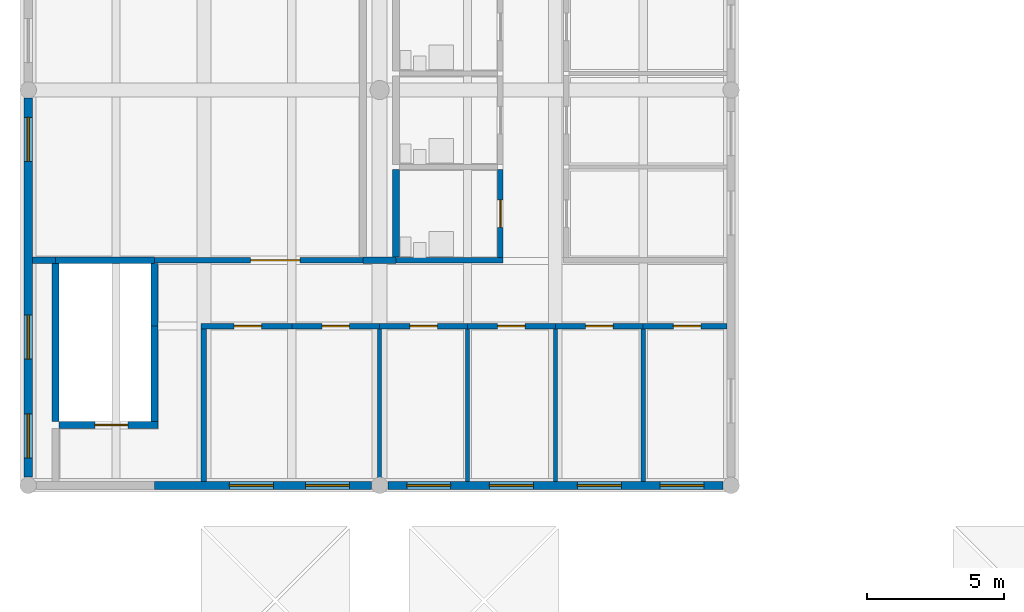
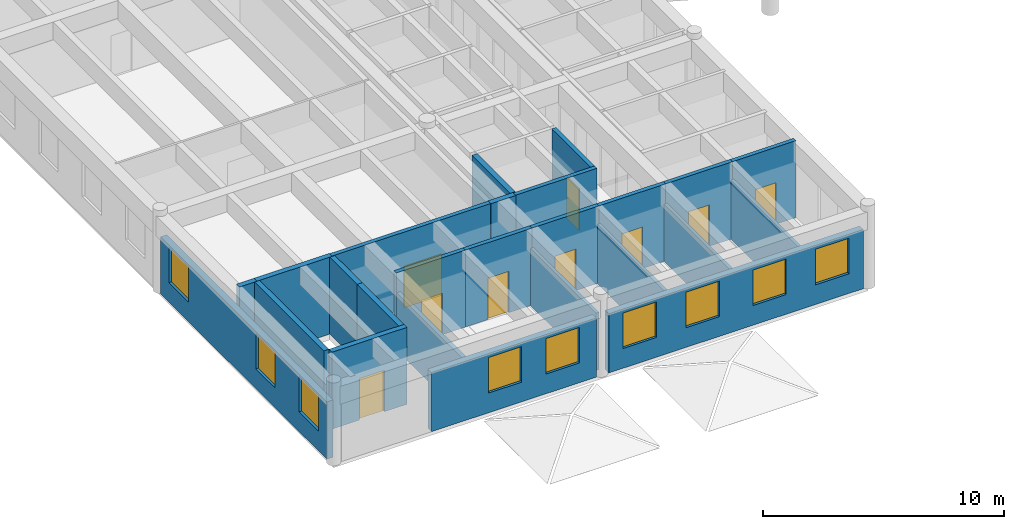
# One storey, part 5 of 19: 25 walls, 9 doors, 9 windows, 18 openings.
"""IFC4 building model written with IfcOpenShell, lengths in metres."""

from ifc_helpers import new_model, si_unit, direction, frame, frame_2d, origin, place, context, subcontext, project, spatial, rectangle, extrude, material, layer, layer_set, type_object, element, fill, save


model = new_model("IFC4")

# Units and contexts
model_context = context("Model", 3, precision=1e-05, world=origin(), true_north=direction((0.0, 1.0)))
body_context = subcontext(model_context, "Body", "Model", "MODEL_VIEW")
ifc_project = project(units=[si_unit("LENGTHUNIT", "METRE"), si_unit("AREAUNIT", "SQUARE_METRE"), si_unit("VOLUMEUNIT", "CUBIC_METRE"), si_unit("PLANEANGLEUNIT", "RADIAN"), si_unit("MASSUNIT", "GRAM", prefix="KILO")], contexts=[model_context])

# Site, building, storey
site_placement = place(None, origin())
site = spatial("IfcSite", under=ifc_project, at=site_placement, CompositionType="ELEMENT")
building_placement = place(site_placement, origin())
building = spatial("IfcBuilding", under=site, at=building_placement, Name="Fogon Plaza Fire Station and Headquarters Tower", CompositionType="ELEMENT")
storey_placement = place(building_placement, frame((0.0, 0.0, 4.199951171875)))
storey = spatial("IfcBuildingStorey", under=building, at=storey_placement, Name="L01", CompositionType="ELEMENT", Elevation=4.199951171875)

# Walls
ifc_material_1 = material(Name="Acoustic Gypsum Partition")
ifc_layer_1 = layer(ifc_material_1, 0.14990234375)
ifc_layer_set_1 = layer_set([ifc_layer_1], Name="Acoustic Gypsum Partition")
wall_type_1 = type_object("IfcWallType", Name="Acoustic Partition 150 Beam Head 1000", PredefinedType="PARTITIONING", material=ifc_layer_set_1)
wall_1_placement = place(storey_placement, frame((12.800048828125, 0.27001953125, 0.0), z_axis=(0.0, 0.0, 1.0), x_axis=(0.0, 1.0, 0.0)))
element("IfcWall", 1, at=wall_1_placement, inside=storey, type_object=wall_type_1, Name="wall-L01-W-051", PredefinedType="PARTITIONING", context=body_context, shape_type="SweptSolid", body=[
    extrude(rectangle(XDim=5.429931640625, YDim=0.14990234375, at=frame_2d((2.71484375, 0.0))), origin(), (0.0, 0.0, 1.0), 2.900146484375),
])
wall_2_placement = place(storey_placement, frame((19.199951171875, 0.14990234375, 0.0), z_axis=(0.0, 0.0, 1.0), x_axis=(0.0, 1.0, 0.0)))
element("IfcWall", 2, at=wall_2_placement, inside=storey, type_object=wall_type_1, Name="wall-L01-W-065", PredefinedType="PARTITIONING", context=body_context, shape_type="SweptSolid", body=[
    extrude(rectangle(XDim=5.550048828125, YDim=0.14990234375, at=frame_2d((2.77490234375, 0.0))), origin(), (0.0, 0.0, 1.0), 2.900146484375),
])
ifc_material_2 = material(Name="Acoustic Gypsum Partition")
ifc_layer_2 = layer(ifc_material_2, 0.14990234375)
ifc_layer_set_2 = layer_set([ifc_layer_2], Name="Acoustic Gypsum Partition")
wall_type_2 = type_object("IfcWallType", Name="Acoustic Partition 150 Beam Head 900", PredefinedType="PARTITIONING", material=ifc_layer_set_2)
for number, where, z_axis, x_axis, name in (
    (3, (16.0, 0.14990234375, 0.0), (0.0, 0.0, 1.0), (0.0, 1.0, 0.0), "wall-L01-W-058"),
    (4, (22.39990234375, 0.14990234375, 0.0), (0.0, 0.0, 1.0), (0.0, 1.0, 0.0), "wall-L01-W-072"),
):
    element("IfcWall", number, at=place(storey_placement, frame(where, z_axis=z_axis, x_axis=x_axis)), inside=storey, type_object=wall_type_2, Name=name, PredefinedType="PARTITIONING", context=body_context, shape_type="SweptSolid", body=[
        extrude(rectangle(XDim=5.550048828125, YDim=0.14990234375, at=frame_2d((2.77490234375, 0.0))), origin(), (0.0, 0.0, 1.0), 3.0),
    ])

# Wall, openings, windows
ifc_material_3 = material(Name="Concrete C40", Category="concrete")
ifc_layer_3 = layer(ifc_material_3, 0.300048828125)
ifc_layer_set_3 = layer_set([ifc_layer_3], Name="Concrete C40")
wall_type_3 = type_object("IfcWallType", Name="Board-marked RC Infill Wall 300", PredefinedType="SOLIDWALL", material=ifc_layer_set_3)
wall_3_placement = place(storey_placement, frame((4.60009765625, 0.0, 0.0), z_axis=(0.0, 0.0, 1.0), x_axis=(1.0, 0.0, 0.0)))
wall_3 = element("IfcWall", 5, at=wall_3_placement, inside=storey, type_object=wall_type_3, Name="Exterior wall WS L01", PredefinedType="SOLIDWALL", context=body_context, shape_type="SweptSolid", body=[
    extrude(rectangle(XDim=7.89990234375, YDim=0.300048828125, at=frame_2d((3.949951171875, 0.0))), origin(), (0.0, 0.0, 1.0), 3.0),
])
opening_1_placement = place(wall_3_placement, frame((2.72509765625, 0.0, 1.0)))
opening_1 = element("IfcOpeningElement", 6, at=opening_1_placement, cuts=wall_3, Name="Opening W1", PredefinedType="OPENING", context=body_context, shape_type="SweptSolid", body=[
    extrude(rectangle(XDim=1.60009765625, YDim=1.800048828125, at=frame_2d((0.800048828125, 0.89990234375))), frame((0.0, 0.159912109375, 0.0), z_axis=(0.0, -1.0, 0.0), x_axis=(1.0, 0.0, 0.0)), (0.0, 0.0, 1.0), 0.320068359375),
])
opening_2_placement = place(wall_3_placement, frame((5.5, 0.0, 1.0)))
opening_2 = element("IfcOpeningElement", 7, at=opening_2_placement, cuts=wall_3, Name="Opening W1", PredefinedType="OPENING", context=body_context, shape_type="SweptSolid", body=[
    extrude(rectangle(XDim=1.60009765625, YDim=1.800048828125, at=frame_2d((0.800048828125, 0.89990234375))), frame((0.0, 0.159912109375, 0.0), z_axis=(0.0, -1.0, 0.0), x_axis=(1.0, 0.0, 0.0)), (0.0, 0.0, 1.0), 0.320068359375),
])
ifc_material_4 = material(Name="Aluminium framed double glazing", Category="aluminium")
window_type = type_object("IfcWindowType", Name="Window W1 1600x1800", PartitioningType="SINGLE_PANEL", PredefinedType="WINDOW", material=ifc_material_4)
window_1_placement = place(opening_1_placement, origin())
window_1 = element("IfcWindow", 8, at=window_1_placement, inside=storey, type_object=window_type, Name="Window W1 S L01", OverallHeight=1.800048828125, OverallWidth=1.60009765625, PartitioningType="SINGLE_PANEL", PredefinedType="WINDOW", context=body_context, shape_type="SweptSolid", body=[
    extrude(rectangle(XDim=1.60009765625, YDim=1.800048828125, at=frame_2d((0.800048828125, 0.89990234375))), frame((0.0, 0.030029296875, 0.0), z_axis=(0.0, -1.0, 0.0), x_axis=(1.0, 0.0, 0.0)), (0.0, 0.0, 1.0), 0.06005859375),
])
fill(opening_1, window_1)
window_2_placement = place(opening_2_placement, origin())
window_2 = element("IfcWindow", 9, at=window_2_placement, inside=storey, type_object=window_type, Name="Window W1 S L01", OverallHeight=1.800048828125, OverallWidth=1.60009765625, PartitioningType="SINGLE_PANEL", PredefinedType="WINDOW", context=body_context, shape_type="SweptSolid", body=[
    extrude(rectangle(XDim=1.60009765625, YDim=1.800048828125, at=frame_2d((0.800048828125, 0.89990234375))), frame((0.0, 0.030029296875, 0.0), z_axis=(0.0, -1.0, 0.0), x_axis=(1.0, 0.0, 0.0)), (0.0, 0.0, 1.0), 0.06005859375),
])
fill(opening_2, window_2)

wall_4_placement = place(storey_placement, frame((13.10009765625, 0.0, 0.0), z_axis=(0.0, 0.0, 1.0), x_axis=(1.0, 0.0, 0.0)))
wall_4 = element("IfcWall", 10, at=wall_4_placement, inside=storey, type_object=wall_type_3, Name="Exterior wall WS L01", PredefinedType="SOLIDWALL", context=body_context, shape_type="SweptSolid", body=[
    extrude(rectangle(XDim=12.199951171875, YDim=0.300048828125, at=frame_2d((6.10009765625, 0.0))), origin(), (0.0, 0.0, 1.0), 3.0),
])
opening_3_placement = place(wall_4_placement, frame((0.6875, 0.0, 1.0)))
opening_3 = element("IfcOpeningElement", 11, at=opening_3_placement, cuts=wall_4, Name="Opening W1", PredefinedType="OPENING", context=body_context, shape_type="SweptSolid", body=[
    extrude(rectangle(XDim=1.60009765625, YDim=1.800048828125, at=frame_2d((0.800048828125, 0.89990234375))), frame((0.0, 0.159912109375, 0.0), z_axis=(0.0, -1.0, 0.0), x_axis=(1.0, 0.0, 0.0)), (0.0, 0.0, 1.0), 0.320068359375),
])
opening_4_placement = place(wall_4_placement, frame((3.699951171875, 0.0, 1.0)))
opening_4 = element("IfcOpeningElement", 12, at=opening_4_placement, cuts=wall_4, Name="Opening W1", PredefinedType="OPENING", context=body_context, shape_type="SweptSolid", body=[
    extrude(rectangle(XDim=1.60009765625, YDim=1.800048828125, at=frame_2d((0.800048828125, 0.89990234375))), frame((0.0, 0.159912109375, 0.0), z_axis=(0.0, -1.0, 0.0), x_axis=(1.0, 0.0, 0.0)), (0.0, 0.0, 1.0), 0.320068359375),
])
opening_5_placement = place(wall_4_placement, frame((6.89990234375, 0.0, 1.0)))
opening_5 = element("IfcOpeningElement", 13, at=opening_5_placement, cuts=wall_4, Name="Opening W1", PredefinedType="OPENING", context=body_context, shape_type="SweptSolid", body=[
    extrude(rectangle(XDim=1.60009765625, YDim=1.800048828125, at=frame_2d((0.800048828125, 0.89990234375))), frame((0.0, 0.159912109375, 0.0), z_axis=(0.0, -1.0, 0.0), x_axis=(1.0, 0.0, 0.0)), (0.0, 0.0, 1.0), 0.320068359375),
])
opening_6_placement = place(wall_4_placement, frame((9.91259765625, 0.0, 1.0)))
opening_6 = element("IfcOpeningElement", 14, at=opening_6_placement, cuts=wall_4, Name="Opening W1", PredefinedType="OPENING", context=body_context, shape_type="SweptSolid", body=[
    extrude(rectangle(XDim=1.60009765625, YDim=1.800048828125, at=frame_2d((0.800048828125, 0.89990234375))), frame((0.0, 0.159912109375, 0.0), z_axis=(0.0, -1.0, 0.0), x_axis=(1.0, 0.0, 0.0)), (0.0, 0.0, 1.0), 0.320068359375),
])
window_3_placement = place(opening_3_placement, origin())
window_3 = element("IfcWindow", 15, at=window_3_placement, inside=storey, type_object=window_type, Name="Window W1 S L01", OverallHeight=1.800048828125, OverallWidth=1.60009765625, PartitioningType="SINGLE_PANEL", PredefinedType="WINDOW", context=body_context, shape_type="SweptSolid", body=[
    extrude(rectangle(XDim=1.60009765625, YDim=1.800048828125, at=frame_2d((0.800048828125, 0.89990234375))), frame((0.0, 0.030029296875, 0.0), z_axis=(0.0, -1.0, 0.0), x_axis=(1.0, 0.0, 0.0)), (0.0, 0.0, 1.0), 0.06005859375),
])
fill(opening_3, window_3)
window_4_placement = place(opening_4_placement, origin())
window_4 = element("IfcWindow", 16, at=window_4_placement, inside=storey, type_object=window_type, Name="Window W1 S L01", OverallHeight=1.800048828125, OverallWidth=1.60009765625, PartitioningType="SINGLE_PANEL", PredefinedType="WINDOW", context=body_context, shape_type="SweptSolid", body=[
    extrude(rectangle(XDim=1.60009765625, YDim=1.800048828125, at=frame_2d((0.800048828125, 0.89990234375))), frame((0.0, 0.030029296875, 0.0), z_axis=(0.0, -1.0, 0.0), x_axis=(1.0, 0.0, 0.0)), (0.0, 0.0, 1.0), 0.06005859375),
])
fill(opening_4, window_4)
window_5_placement = place(opening_5_placement, origin())
window_5 = element("IfcWindow", 17, at=window_5_placement, inside=storey, type_object=window_type, Name="Window W1 S L01", OverallHeight=1.800048828125, OverallWidth=1.60009765625, PartitioningType="SINGLE_PANEL", PredefinedType="WINDOW", context=body_context, shape_type="SweptSolid", body=[
    extrude(rectangle(XDim=1.60009765625, YDim=1.800048828125, at=frame_2d((0.800048828125, 0.89990234375))), frame((0.0, 0.030029296875, 0.0), z_axis=(0.0, -1.0, 0.0), x_axis=(1.0, 0.0, 0.0)), (0.0, 0.0, 1.0), 0.06005859375),
])
fill(opening_5, window_5)
window_6_placement = place(opening_6_placement, origin())
window_6 = element("IfcWindow", 18, at=window_6_placement, inside=storey, type_object=window_type, Name="Window W1 S L01", OverallHeight=1.800048828125, OverallWidth=1.60009765625, PartitioningType="SINGLE_PANEL", PredefinedType="WINDOW", context=body_context, shape_type="SweptSolid", body=[
    extrude(rectangle(XDim=1.60009765625, YDim=1.800048828125, at=frame_2d((0.800048828125, 0.89990234375))), frame((0.0, 0.030029296875, 0.0), z_axis=(0.0, -1.0, 0.0), x_axis=(1.0, 0.0, 0.0)), (0.0, 0.0, 1.0), 0.06005859375),
])
fill(opening_6, window_6)

ifc_material_5 = material(Name="Concrete C40", Category="concrete")
ifc_layer_4 = layer(ifc_material_5, 0.300048828125)
ifc_layer_set_4 = layer_set([ifc_layer_4], Name="Concrete C40")
wall_type_4 = type_object("IfcWallType", Name="Board-marked RC Infill Wall 300 Beam Head 100", PredefinedType="SOLIDWALL", material=ifc_layer_set_4)
wall_5_placement = place(storey_placement, frame((0.0, 0.300048828125, 0.0), z_axis=(0.0, 0.0, 1.0), x_axis=(0.0, 1.0, 0.0)))
wall_5 = element("IfcWall", 19, at=wall_5_placement, inside=storey, type_object=wall_type_4, Name="Exterior wall WW L01", PredefinedType="SOLIDWALL", context=body_context, shape_type="SweptSolid", body=[
    extrude(rectangle(XDim=13.800048828125, YDim=0.300048828125, at=frame_2d((6.89990234375, 0.0))), origin(), (0.0, 0.0, 1.0), 2.900146484375),
])
opening_7_placement = place(wall_5_placement, frame((0.699951171875, 0.0, 1.0)))
opening_7 = element("IfcOpeningElement", 20, at=opening_7_placement, cuts=wall_5, Name="Opening W1", PredefinedType="OPENING", context=body_context, shape_type="SweptSolid", body=[
    extrude(rectangle(XDim=1.60009765625, YDim=1.800048828125, at=frame_2d((0.800048828125, 0.89990234375))), frame((0.0, 0.159912109375, 0.0), z_axis=(0.0, -1.0, 0.0), x_axis=(1.0, 0.0, 0.0)), (0.0, 0.0, 1.0), 0.320068359375),
])
opening_8_placement = place(wall_5_placement, frame((4.300048828125, 0.0, 1.0)))
opening_8 = element("IfcOpeningElement", 21, at=opening_8_placement, cuts=wall_5, Name="Opening W1", PredefinedType="OPENING", context=body_context, shape_type="SweptSolid", body=[
    extrude(rectangle(XDim=1.60009765625, YDim=1.800048828125, at=frame_2d((0.800048828125, 0.89990234375))), frame((0.0, 0.159912109375, 0.0), z_axis=(0.0, -1.0, 0.0), x_axis=(1.0, 0.0, 0.0)), (0.0, 0.0, 1.0), 0.320068359375),
])
opening_9_placement = place(wall_5_placement, frame((11.5, 0.0, 1.0)))
opening_9 = element("IfcOpeningElement", 22, at=opening_9_placement, cuts=wall_5, Name="Opening W1", PredefinedType="OPENING", context=body_context, shape_type="SweptSolid", body=[
    extrude(rectangle(XDim=1.60009765625, YDim=1.800048828125, at=frame_2d((0.800048828125, 0.89990234375))), frame((0.0, 0.159912109375, 0.0), z_axis=(0.0, -1.0, 0.0), x_axis=(1.0, 0.0, 0.0)), (0.0, 0.0, 1.0), 0.320068359375),
])
window_7_placement = place(opening_7_placement, origin())
window_7 = element("IfcWindow", 23, at=window_7_placement, inside=storey, type_object=window_type, Name="Window W1 W L01", OverallHeight=1.800048828125, OverallWidth=1.60009765625, PartitioningType="SINGLE_PANEL", PredefinedType="WINDOW", context=body_context, shape_type="SweptSolid", body=[
    extrude(rectangle(XDim=1.60009765625, YDim=1.800048828125, at=frame_2d((0.800048828125, 0.89990234375))), frame((0.0, 0.030029296875, 0.0), z_axis=(0.0, -1.0, 0.0), x_axis=(1.0, 0.0, 0.0)), (0.0, 0.0, 1.0), 0.06005859375),
])
fill(opening_7, window_7)
window_8_placement = place(opening_8_placement, origin())
window_8 = element("IfcWindow", 24, at=window_8_placement, inside=storey, type_object=window_type, Name="Window W1 W L01", OverallHeight=1.800048828125, OverallWidth=1.60009765625, PartitioningType="SINGLE_PANEL", PredefinedType="WINDOW", context=body_context, shape_type="SweptSolid", body=[
    extrude(rectangle(XDim=1.60009765625, YDim=1.800048828125, at=frame_2d((0.800048828125, 0.89990234375))), frame((0.0, 0.030029296875, 0.0), z_axis=(0.0, -1.0, 0.0), x_axis=(1.0, 0.0, 0.0)), (0.0, 0.0, 1.0), 0.06005859375),
])
fill(opening_8, window_8)
window_9_placement = place(opening_9_placement, origin())
window_9 = element("IfcWindow", 25, at=window_9_placement, inside=storey, type_object=window_type, Name="Window W1 W L01", OverallHeight=1.800048828125, OverallWidth=1.60009765625, PartitioningType="SINGLE_PANEL", PredefinedType="WINDOW", context=body_context, shape_type="SweptSolid", body=[
    extrude(rectangle(XDim=1.60009765625, YDim=1.800048828125, at=frame_2d((0.800048828125, 0.89990234375))), frame((0.0, 0.030029296875, 0.0), z_axis=(0.0, -1.0, 0.0), x_axis=(1.0, 0.0, 0.0)), (0.0, 0.0, 1.0), 0.06005859375),
])
fill(opening_9, window_9)

# Wall, opening, door
ifc_material_6 = material(Name="Gypsum Board Fire Partition")
ifc_layer_5 = layer(ifc_material_6, 0.199951171875)
ifc_layer_set_5 = layer_set([ifc_layer_5], Name="Gypsum Board Fire Partition")
wall_type_5 = type_object("IfcWallType", Name="Corridor Wall EI 60", PredefinedType="PARTITIONING", material=ifc_layer_set_5)
wall_6_placement = place(storey_placement, frame((6.300048828125, 5.800048828125, 0.0), z_axis=(0.0, 0.0, 1.0), x_axis=(1.0, 0.0, 0.0)))
wall_6 = element("IfcWall", 26, at=wall_6_placement, inside=storey, type_object=wall_type_5, Name="wall-L01-W-002", PredefinedType="PARTITIONING", context=body_context, shape_type="SweptSolid", body=[
    extrude(rectangle(XDim=3.300048828125, YDim=0.199951171875, at=frame_2d((1.64990234375, 0.0))), origin(), (0.0, 0.0, 1.0), 3.900146484375),
])
opening_10_placement = place(wall_6_placement, frame((1.199951171875, 0.0, 0.0)))
opening_10 = element("IfcOpeningElement", 27, at=opening_10_placement, cuts=wall_6, Name="Opening L01-D32", PredefinedType="OPENING", context=body_context, shape_type="SweptSolid", body=[
    extrude(rectangle(XDim=1.0, YDim=2.10009765625, at=frame_2d((0.5, 1.050048828125))), frame((0.0, 0.10986328125, 0.0), z_axis=(0.0, -1.0, 0.0), x_axis=(1.0, 0.0, 0.0)), (0.0, 0.0, 1.0), 0.219970703125),
])
ifc_material_7 = material(Name="Steel Fire Door Leaf", Category="steel")
door_type_1 = type_object("IfcDoorType", Name="Corridor Door EI 20 1000x2100", OperationType="SINGLE_SWING_LEFT", PredefinedType="DOOR", material=ifc_material_7)
door_1_placement = place(opening_10_placement, frame((1.0, 0.0, 0.0), z_axis=(0.0, 0.0, 1.0), x_axis=(-1.0, 0.0, 0.0)))
door_1 = element("IfcDoor", 28, at=door_1_placement, inside=storey, type_object=door_type_1, Name="door-L01-W-02", OperationType="SINGLE_SWING_RIGHT", OverallHeight=2.10009765625, OverallWidth=1.0, PredefinedType="DOOR", context=body_context, shape_type="SweptSolid", body=[
    extrude(rectangle(XDim=1.0, YDim=2.10009765625, at=frame_2d((0.5, 1.050048828125))), frame((0.0, 0.02490234375, 0.0), z_axis=(0.0, -1.0, 0.0), x_axis=(1.0, 0.0, 0.0)), (0.0, 0.0, 1.0), 0.050048828125),
])
fill(opening_10, door_1)

wall_7_placement = place(storey_placement, frame((9.60009765625, 5.800048828125, 0.0), z_axis=(0.0, 0.0, 1.0), x_axis=(1.0, 0.0, 0.0)))
wall_7 = element("IfcWall", 29, at=wall_7_placement, inside=storey, type_object=wall_type_5, Name="wall-L01-W-003", PredefinedType="PARTITIONING", context=body_context, shape_type="SweptSolid", body=[
    extrude(rectangle(XDim=3.199951171875, YDim=0.199951171875, at=frame_2d((1.60009765625, 0.0))), origin(), (0.0, 0.0, 1.0), 3.900146484375),
])
opening_11_placement = place(wall_7_placement, frame((1.10009765625, 0.0, 0.0)))
opening_11 = element("IfcOpeningElement", 30, at=opening_11_placement, cuts=wall_7, Name="Opening L01-D33", PredefinedType="OPENING", context=body_context, shape_type="SweptSolid", body=[
    extrude(rectangle(XDim=1.0, YDim=2.10009765625, at=frame_2d((0.5, 1.050048828125))), frame((0.0, 0.10986328125, 0.0), z_axis=(0.0, -1.0, 0.0), x_axis=(1.0, 0.0, 0.0)), (0.0, 0.0, 1.0), 0.219970703125),
])
door_2_placement = place(opening_11_placement, frame((1.0, 0.0, 0.0), z_axis=(0.0, 0.0, 1.0), x_axis=(-1.0, 0.0, 0.0)))
door_2 = element("IfcDoor", 31, at=door_2_placement, inside=storey, type_object=door_type_1, Name="door-L01-W-03", OperationType="SINGLE_SWING_LEFT", OverallHeight=2.10009765625, OverallWidth=1.0, PredefinedType="DOOR", context=body_context, shape_type="SweptSolid", body=[
    extrude(rectangle(XDim=1.0, YDim=2.10009765625, at=frame_2d((0.5, 1.050048828125))), frame((0.0, 0.02490234375, 0.0), z_axis=(0.0, -1.0, 0.0), x_axis=(1.0, 0.0, 0.0)), (0.0, 0.0, 1.0), 0.050048828125),
])
fill(opening_11, door_2)

wall_8_placement = place(storey_placement, frame((12.800048828125, 5.800048828125, 0.0), z_axis=(0.0, 0.0, 1.0), x_axis=(1.0, 0.0, 0.0)))
wall_8 = element("IfcWall", 32, at=wall_8_placement, inside=storey, type_object=wall_type_5, Name="wall-L01-W-004", PredefinedType="PARTITIONING", context=body_context, shape_type="SweptSolid", body=[
    extrude(rectangle(XDim=3.199951171875, YDim=0.199951171875, at=frame_2d((1.60009765625, 0.0))), origin(), (0.0, 0.0, 1.0), 3.900146484375),
])
opening_12_placement = place(wall_8_placement, frame((1.10009765625, 0.0, 0.0)))
opening_12 = element("IfcOpeningElement", 33, at=opening_12_placement, cuts=wall_8, Name="Opening L01-D34", PredefinedType="OPENING", context=body_context, shape_type="SweptSolid", body=[
    extrude(rectangle(XDim=1.0, YDim=2.10009765625, at=frame_2d((0.5, 1.050048828125))), frame((0.0, 0.10986328125, 0.0), z_axis=(0.0, -1.0, 0.0), x_axis=(1.0, 0.0, 0.0)), (0.0, 0.0, 1.0), 0.219970703125),
])
door_3_placement = place(opening_12_placement, frame((1.0, 0.0, 0.0), z_axis=(0.0, 0.0, 1.0), x_axis=(-1.0, 0.0, 0.0)))
door_3 = element("IfcDoor", 34, at=door_3_placement, inside=storey, type_object=door_type_1, Name="door-L01-W-04", OperationType="SINGLE_SWING_RIGHT", OverallHeight=2.10009765625, OverallWidth=1.0, PredefinedType="DOOR", context=body_context, shape_type="SweptSolid", body=[
    extrude(rectangle(XDim=1.0, YDim=2.10009765625, at=frame_2d((0.5, 1.050048828125))), frame((0.0, 0.02490234375, 0.0), z_axis=(0.0, -1.0, 0.0), x_axis=(1.0, 0.0, 0.0)), (0.0, 0.0, 1.0), 0.050048828125),
])
fill(opening_12, door_3)

wall_9_placement = place(storey_placement, frame((16.0, 5.800048828125, 0.0), z_axis=(0.0, 0.0, 1.0), x_axis=(1.0, 0.0, 0.0)))
wall_9 = element("IfcWall", 35, at=wall_9_placement, inside=storey, type_object=wall_type_5, Name="wall-L01-W-005", PredefinedType="PARTITIONING", context=body_context, shape_type="SweptSolid", body=[
    extrude(rectangle(XDim=3.199951171875, YDim=0.199951171875, at=frame_2d((1.60009765625, 0.0))), origin(), (0.0, 0.0, 1.0), 3.900146484375),
])
opening_13_placement = place(wall_9_placement, frame((1.10009765625, 0.0, 0.0)))
opening_13 = element("IfcOpeningElement", 36, at=opening_13_placement, cuts=wall_9, Name="Opening L01-D35", PredefinedType="OPENING", context=body_context, shape_type="SweptSolid", body=[
    extrude(rectangle(XDim=1.0, YDim=2.10009765625, at=frame_2d((0.5, 1.050048828125))), frame((0.0, 0.10986328125, 0.0), z_axis=(0.0, -1.0, 0.0), x_axis=(1.0, 0.0, 0.0)), (0.0, 0.0, 1.0), 0.219970703125),
])
door_4_placement = place(opening_13_placement, frame((1.0, 0.0, 0.0), z_axis=(0.0, 0.0, 1.0), x_axis=(-1.0, 0.0, 0.0)))
door_4 = element("IfcDoor", 37, at=door_4_placement, inside=storey, type_object=door_type_1, Name="door-L01-W-05", OperationType="SINGLE_SWING_LEFT", OverallHeight=2.10009765625, OverallWidth=1.0, PredefinedType="DOOR", context=body_context, shape_type="SweptSolid", body=[
    extrude(rectangle(XDim=1.0, YDim=2.10009765625, at=frame_2d((0.5, 1.050048828125))), frame((0.0, 0.02490234375, 0.0), z_axis=(0.0, -1.0, 0.0), x_axis=(1.0, 0.0, 0.0)), (0.0, 0.0, 1.0), 0.050048828125),
])
fill(opening_13, door_4)

wall_10_placement = place(storey_placement, frame((19.199951171875, 5.800048828125, 0.0), z_axis=(0.0, 0.0, 1.0), x_axis=(1.0, 0.0, 0.0)))
wall_10 = element("IfcWall", 38, at=wall_10_placement, inside=storey, type_object=wall_type_5, Name="wall-L01-W-006", PredefinedType="PARTITIONING", context=body_context, shape_type="SweptSolid", body=[
    extrude(rectangle(XDim=3.199951171875, YDim=0.199951171875, at=frame_2d((1.60009765625, 0.0))), origin(), (0.0, 0.0, 1.0), 3.900146484375),
])
opening_14_placement = place(wall_10_placement, frame((1.10009765625, 0.0, 0.0)))
opening_14 = element("IfcOpeningElement", 39, at=opening_14_placement, cuts=wall_10, Name="Opening L01-D36", PredefinedType="OPENING", context=body_context, shape_type="SweptSolid", body=[
    extrude(rectangle(XDim=1.0, YDim=2.10009765625, at=frame_2d((0.5, 1.050048828125))), frame((0.0, 0.10986328125, 0.0), z_axis=(0.0, -1.0, 0.0), x_axis=(1.0, 0.0, 0.0)), (0.0, 0.0, 1.0), 0.219970703125),
])
door_5_placement = place(opening_14_placement, frame((1.0, 0.0, 0.0), z_axis=(0.0, 0.0, 1.0), x_axis=(-1.0, 0.0, 0.0)))
door_5 = element("IfcDoor", 40, at=door_5_placement, inside=storey, type_object=door_type_1, Name="door-L01-W-06", OperationType="SINGLE_SWING_RIGHT", OverallHeight=2.10009765625, OverallWidth=1.0, PredefinedType="DOOR", context=body_context, shape_type="SweptSolid", body=[
    extrude(rectangle(XDim=1.0, YDim=2.10009765625, at=frame_2d((0.5, 1.050048828125))), frame((0.0, 0.02490234375, 0.0), z_axis=(0.0, -1.0, 0.0), x_axis=(1.0, 0.0, 0.0)), (0.0, 0.0, 1.0), 0.050048828125),
])
fill(opening_14, door_5)

wall_11_placement = place(storey_placement, frame((22.39990234375, 5.800048828125, 0.0), z_axis=(0.0, 0.0, 1.0), x_axis=(1.0, 0.0, 0.0)))
wall_11 = element("IfcWall", 41, at=wall_11_placement, inside=storey, type_object=wall_type_5, Name="wall-L01-W-007", PredefinedType="PARTITIONING", context=body_context, shape_type="SweptSolid", body=[
    extrude(rectangle(XDim=3.050048828125, YDim=0.199951171875, at=frame_2d((1.52490234375, 0.0))), origin(), (0.0, 0.0, 1.0), 3.900146484375),
])
opening_15_placement = place(wall_11_placement, frame((1.10009765625, 0.0, 0.0)))
opening_15 = element("IfcOpeningElement", 42, at=opening_15_placement, cuts=wall_11, Name="Opening L01-D37", PredefinedType="OPENING", context=body_context, shape_type="SweptSolid", body=[
    extrude(rectangle(XDim=1.0, YDim=2.10009765625, at=frame_2d((0.5, 1.050048828125))), frame((0.0, 0.10986328125, 0.0), z_axis=(0.0, -1.0, 0.0), x_axis=(1.0, 0.0, 0.0)), (0.0, 0.0, 1.0), 0.219970703125),
])
door_6_placement = place(opening_15_placement, frame((1.0, 0.0, 0.0), z_axis=(0.0, 0.0, 1.0), x_axis=(-1.0, 0.0, 0.0)))
door_6 = element("IfcDoor", 43, at=door_6_placement, inside=storey, type_object=door_type_1, Name="door-L01-W-07", OperationType="SINGLE_SWING_LEFT", OverallHeight=2.10009765625, OverallWidth=1.0, PredefinedType="DOOR", context=body_context, shape_type="SweptSolid", body=[
    extrude(rectangle(XDim=1.0, YDim=2.10009765625, at=frame_2d((0.5, 1.050048828125))), frame((0.0, 0.02490234375, 0.0), z_axis=(0.0, -1.0, 0.0), x_axis=(1.0, 0.0, 0.0)), (0.0, 0.0, 1.0), 0.050048828125),
])
fill(opening_15, door_6)

wall_12_placement = place(storey_placement, frame((4.60009765625, 8.199951171875, 0.0), z_axis=(0.0, 0.0, 1.0), x_axis=(1.0, 0.0, 0.0)))
wall_12 = element("IfcWall", 44, at=wall_12_placement, inside=storey, type_object=wall_type_5, Name="wall-L01-W-010", PredefinedType="PARTITIONING", context=body_context, shape_type="SweptSolid", body=[
    extrude(rectangle(XDim=7.599853515625, YDim=0.199951171875, at=frame_2d((3.7998046875, 0.0))), origin(), (0.0, 0.0, 1.0), 3.900146484375),
])
opening_16_placement = place(wall_12_placement, frame((3.5, 0.0, 0.0)))
opening_16 = element("IfcOpeningElement", 45, at=opening_16_placement, cuts=wall_12, Name="Opening L01-D38", PredefinedType="OPENING", context=body_context, shape_type="SweptSolid", body=[
    extrude(rectangle(XDim=1.800048828125, YDim=2.10009765625, at=frame_2d((0.89990234375, 1.050048828125))), frame((0.0, 0.10986328125, 0.0), z_axis=(0.0, -1.0, 0.0), x_axis=(1.0, 0.0, 0.0)), (0.0, 0.0, 1.0), 0.219970703125),
])
ifc_material_8 = material(Name="Steel Fire Door Leaf", Category="steel")
door_type_2 = type_object("IfcDoorType", Name="Corridor Door Double EI 20 1800x2100", OperationType="SINGLE_SWING_LEFT", PredefinedType="DOOR", material=ifc_material_8)
door_7_placement = place(opening_16_placement, frame((1.800048828125, 0.0, 0.0), z_axis=(0.0, 0.0, 1.0), x_axis=(-1.0, 0.0, 0.0)))
door_7 = element("IfcDoor", 46, at=door_7_placement, inside=storey, type_object=door_type_2, Name="door-L01-W-08", OperationType="DOUBLE_DOOR_SINGLE_SWING", OverallHeight=2.10009765625, OverallWidth=1.800048828125, PredefinedType="DOOR", context=body_context, shape_type="SweptSolid", body=[
    extrude(rectangle(XDim=1.800048828125, YDim=2.10009765625, at=frame_2d((0.89990234375, 1.050048828125))), frame((0.0, 0.02490234375, 0.0), z_axis=(0.0, -1.0, 0.0), x_axis=(1.0, 0.0, 0.0)), (0.0, 0.0, 1.0), 0.050048828125),
])
fill(opening_16, door_7)

# Wall
wall_13_placement = place(storey_placement, frame((13.39990234375, 8.199951171875, 0.0), z_axis=(0.0, 0.0, 1.0), x_axis=(1.0, 0.0, 0.0)))
element("IfcWall", 47, at=wall_13_placement, inside=storey, type_object=wall_type_5, Name="wall-L01-W-012", PredefinedType="PARTITIONING", context=body_context, shape_type="SweptSolid", body=[
    extrude(rectangle(XDim=3.900146484375, YDim=0.199951171875, at=frame_2d((1.9501953125, 0.0))), origin(), (0.0, 0.0, 1.0), 3.900146484375),
])

# Wall, opening, door
wall_14_placement = place(storey_placement, frame((17.199951171875, 8.300048828125, 0.0), z_axis=(0.0, 0.0, 1.0), x_axis=(0.0, 1.0, 0.0)))
wall_14 = element("IfcWall", 48, at=wall_14_placement, inside=storey, type_object=wall_type_5, Name="wall-L01-W-059", PredefinedType="PARTITIONING", context=body_context, shape_type="SweptSolid", body=[
    extrude(rectangle(XDim=3.21240234375, YDim=0.199951171875, at=frame_2d((1.606201171875, 0.0))), origin(), (0.0, 0.0, 1.0), 3.900146484375),
])
opening_17_placement = place(wall_14_placement, frame((1.10009765625, 0.0, 0.0)))
opening_17 = element("IfcOpeningElement", 49, at=opening_17_placement, cuts=wall_14, Name="Opening L01-D39", PredefinedType="OPENING", context=body_context, shape_type="SweptSolid", body=[
    extrude(rectangle(XDim=1.0, YDim=2.10009765625, at=frame_2d((0.5, 1.050048828125))), frame((0.0, 0.10986328125, 0.0), z_axis=(0.0, -1.0, 0.0), x_axis=(1.0, 0.0, 0.0)), (0.0, 0.0, 1.0), 0.219970703125),
])
door_8_placement = place(opening_17_placement, origin())
door_8 = element("IfcDoor", 50, at=door_8_placement, inside=storey, type_object=door_type_1, Name="door-L01-W-09", OperationType="SINGLE_SWING_RIGHT", OverallHeight=2.10009765625, OverallWidth=1.0, PredefinedType="DOOR", context=body_context, shape_type="SweptSolid", body=[
    extrude(rectangle(XDim=1.0, YDim=2.10009765625, at=frame_2d((0.5, 1.050048828125))), frame((0.0, 0.02490234375, 0.0), z_axis=(0.0, -1.0, 0.0), x_axis=(1.0, 0.0, 0.0)), (0.0, 0.0, 1.0), 0.050048828125),
])
fill(opening_17, door_8)

# Wall
ifc_material_9 = material(Name="Gypsum Board Fire Partition")
ifc_layer_6 = layer(ifc_material_9, 0.199951171875)
ifc_layer_set_6 = layer_set([ifc_layer_6], Name="Gypsum Board Fire Partition")
wall_type_6 = type_object("IfcWallType", Name="Corridor Wall EI 60 Beam Head 1000", PredefinedType="PARTITIONING", material=ifc_layer_set_6)
wall_15_placement = place(storey_placement, frame((6.39990234375, 0.14990234375, 0.0), z_axis=(0.0, 0.0, 1.0), x_axis=(0.0, 1.0, 0.0)))
element("IfcWall", 51, at=wall_15_placement, inside=storey, type_object=wall_type_6, Name="wall-L01-W-047", PredefinedType="PARTITIONING", context=body_context, shape_type="SweptSolid", body=[
    extrude(rectangle(XDim=5.550048828125, YDim=0.199951171875, at=frame_2d((2.77490234375, 0.0))), origin(), (0.0, 0.0, 1.0), 2.900146484375),
])

# Wall, opening, door
ifc_material_10 = material(Name="Concrete C40", Category="concrete")
ifc_layer_7 = layer(ifc_material_10, 0.25)
ifc_layer_set_7 = layer_set([ifc_layer_7], Name="Concrete C40")
wall_type_7 = type_object("IfcWallType", Name="Stair Shaft Wall RC 250", PredefinedType="SHEAR", material=ifc_layer_set_7)
wall_16_placement = place(storey_placement, frame((1.125, 2.199951171875, 0.0), z_axis=(0.0, 0.0, 1.0), x_axis=(1.0, 0.0, 0.0)))
wall_16 = element("IfcWall", 52, at=wall_16_placement, inside=storey, type_object=wall_type_7, Name="wall-L01-W-001", PredefinedType="SHEAR", context=body_context, shape_type="SweptSolid", body=[
    extrude(rectangle(XDim=3.60009765625, YDim=0.25, at=frame_2d((1.800048828125, 0.0))), origin(), (0.0, 0.0, 1.0), 3.900146484375),
])
opening_18_placement = place(wall_16_placement, frame((1.304931640625, 0.0, 0.0)))
opening_18 = element("IfcOpeningElement", 53, at=opening_18_placement, cuts=wall_16, Name="Opening L01-D31", PredefinedType="OPENING", context=body_context, shape_type="SweptSolid", body=[
    extrude(rectangle(XDim=1.199951171875, YDim=2.10009765625, at=frame_2d((0.60009765625, 1.050048828125))), frame((0.0, 0.135009765625, 0.0), z_axis=(0.0, -1.0, 0.0), x_axis=(1.0, 0.0, 0.0)), (0.0, 0.0, 1.0), 0.27001953125),
])
ifc_material_11 = material(Name="Steel Fire Door Leaf", Category="steel")
door_type_3 = type_object("IfcDoorType", Name="Stair Door EI 90 1200x2100", OperationType="SINGLE_SWING_LEFT", PredefinedType="DOOR", material=ifc_material_11)
door_9_placement = place(opening_18_placement, frame((1.199951171875, 0.0, 0.0), z_axis=(0.0, 0.0, 1.0), x_axis=(-1.0, 0.0, 0.0)))
door_9 = element("IfcDoor", 54, at=door_9_placement, inside=storey, type_object=door_type_3, Name="door-L01-W-01", OperationType="SINGLE_SWING_RIGHT", OverallHeight=2.10009765625, OverallWidth=1.199951171875, PredefinedType="DOOR", context=body_context, shape_type="SweptSolid", body=[
    extrude(rectangle(XDim=1.199951171875, YDim=2.10009765625, at=frame_2d((0.60009765625, 1.050048828125))), frame((0.0, 0.02490234375, 0.0), z_axis=(0.0, -1.0, 0.0), x_axis=(1.0, 0.0, 0.0)), (0.0, 0.0, 1.0), 0.050048828125),
])
fill(opening_18, door_9)

# Walls
wall_17_placement = place(storey_placement, frame((1.0, 8.199951171875, 0.0), z_axis=(0.0, 0.0, 1.0), x_axis=(1.0, 0.0, 0.0)))
element("IfcWall", 55, at=wall_17_placement, inside=storey, type_object=wall_type_7, Name="wall-L01-W-009", PredefinedType="SHEAR", context=body_context, shape_type="SweptSolid", body=[
    extrude(rectangle(XDim=3.60009765625, YDim=0.25, at=frame_2d((1.800048828125, 0.0))), origin(), (0.0, 0.0, 1.0), 3.900146484375),
])
wall_18_placement = place(storey_placement, frame((1.0, 2.324951171875, 0.0), z_axis=(0.0, 0.0, 1.0), x_axis=(0.0, 1.0, 0.0)))
element("IfcWall", 56, at=wall_18_placement, inside=storey, type_object=wall_type_7, Name="wall-L01-W-039", PredefinedType="SHEAR", context=body_context, shape_type="SweptSolid", body=[
    extrude(rectangle(XDim=5.75, YDim=0.25, at=frame_2d((2.875, 0.0))), origin(), (0.0, 0.0, 1.0), 3.900146484375),
])
wall_19_placement = place(storey_placement, frame((4.60009765625, 2.324951171875, 0.0), z_axis=(0.0, 0.0, 1.0), x_axis=(0.0, 1.0, 0.0)))
element("IfcWall", 57, at=wall_19_placement, inside=storey, type_object=wall_type_7, Name="wall-L01-W-042", PredefinedType="SHEAR", context=body_context, shape_type="SweptSolid", body=[
    extrude(rectangle(XDim=3.47509765625, YDim=0.25, at=frame_2d((1.737548828125, 0.0))), origin(), (0.0, 0.0, 1.0), 3.900146484375),
])
wall_20_placement = place(storey_placement, frame((4.60009765625, 5.800048828125, 0.0), z_axis=(0.0, 0.0, 1.0), x_axis=(0.0, 1.0, 0.0)))
element("IfcWall", 58, at=wall_20_placement, inside=storey, type_object=wall_type_7, Name="wall-L01-W-043", PredefinedType="SHEAR", context=body_context, shape_type="SweptSolid", body=[
    extrude(rectangle(XDim=2.27490234375, YDim=0.25, at=frame_2d((1.137451171875, 0.0))), origin(), (0.0, 0.0, 1.0), 3.900146484375),
])
ifc_material_12 = material(Name="Concrete Block Fire Wall", Category="concrete")
ifc_layer_8 = layer(ifc_material_12, 0.25)
ifc_layer_set_8 = layer_set([ifc_layer_8], Name="Concrete Block Fire Wall")
wall_type_8 = type_object("IfcWallType", Name="Stair and Shaft Wall EI 120", PredefinedType="PARTITIONING", material=ifc_layer_set_8)
wall_21_placement = place(storey_placement, frame((0.14990234375, 8.199951171875, 0.0), z_axis=(0.0, 0.0, 1.0), x_axis=(1.0, 0.0, 0.0)))
element("IfcWall", 59, at=wall_21_placement, inside=storey, type_object=wall_type_8, Name="wall-L01-W-008", PredefinedType="PARTITIONING", context=body_context, shape_type="SweptSolid", body=[
    extrude(rectangle(XDim=0.85009765625, YDim=0.25, at=frame_2d((0.425048828125, 0.0))), origin(), (0.0, 0.0, 1.0), 3.900146484375),
])
wall_22_placement = place(storey_placement, frame((12.199951171875, 8.199951171875, 0.0), z_axis=(0.0, 0.0, 1.0), x_axis=(1.0, 0.0, 0.0)))
element("IfcWall", 60, at=wall_22_placement, inside=storey, type_object=wall_type_8, Name="wall-L01-W-011", PredefinedType="PARTITIONING", context=body_context, shape_type="SweptSolid", body=[
    extrude(rectangle(XDim=1.199951171875, YDim=0.25, at=frame_2d((0.60009765625, 0.0))), origin(), (0.0, 0.0, 1.0), 3.900146484375),
])
wall_23_placement = place(storey_placement, frame((13.39990234375, 8.324951171875, 0.0), z_axis=(0.0, 0.0, 1.0), x_axis=(0.0, 1.0, 0.0)))
element("IfcWall", 61, at=wall_23_placement, inside=storey, type_object=wall_type_8, Name="wall-L01-W-052", PredefinedType="PARTITIONING", context=body_context, shape_type="SweptSolid", body=[
    extrude(rectangle(XDim=3.1875, YDim=0.25, at=frame_2d((1.59375, 0.0))), origin(), (0.0, 0.0, 1.0), 3.900146484375),
])

save(model, "model.ifc")
